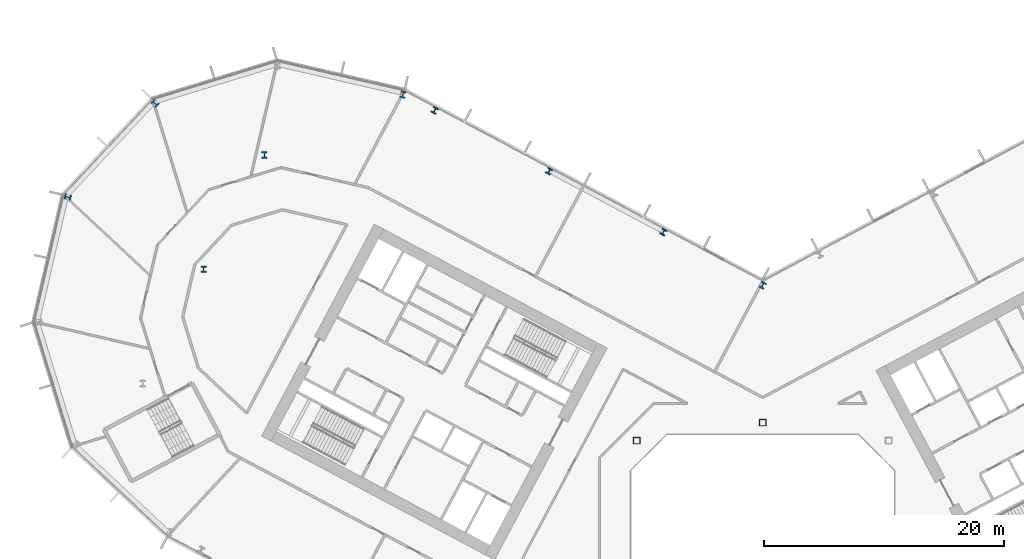
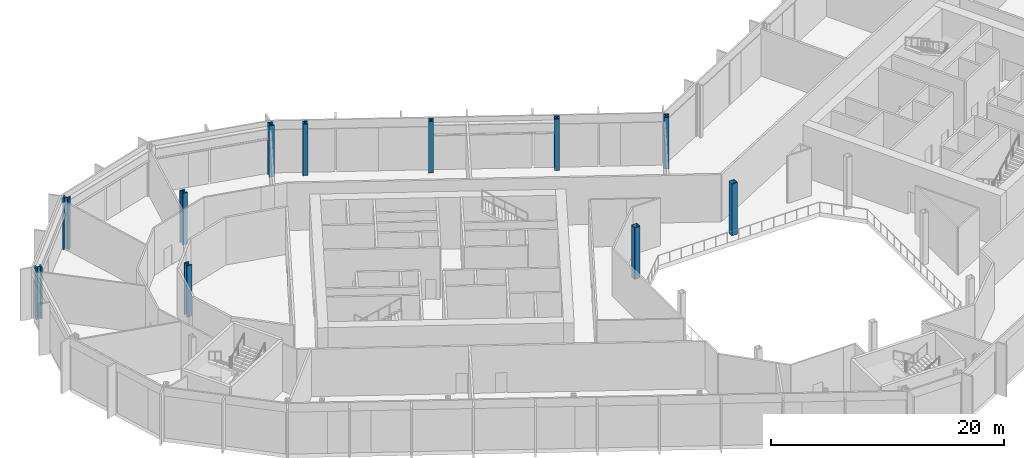
# One storey, part 2 of 30: 11 columns.
"""IFC4 building model written with IfcOpenShell, lengths in metres."""

from ifc_helpers import new_model, si_unit, direction, frame, origin, origin_2d, place, context, subcontext, project, spatial, hollow_rectangle, i_section, extrude, material, material_profile, profile_set, type_object, element, save


model = new_model("IFC4")

# Units and contexts
model_context = context("Model", 3, precision=1e-05, world=origin(), true_north=direction((0.0, 1.0)))
body_context = subcontext(model_context, "Body", "Model", "MODEL_VIEW")
ifc_project = project(units=[si_unit("LENGTHUNIT", "METRE"), si_unit("AREAUNIT", "SQUARE_METRE"), si_unit("VOLUMEUNIT", "CUBIC_METRE"), si_unit("PLANEANGLEUNIT", "RADIAN"), si_unit("MASSUNIT", "GRAM", prefix="KILO")], contexts=[model_context])

# Site, building, storey
site_placement = place(None, origin())
site = spatial("IfcSite", under=ifc_project, at=site_placement, CompositionType="ELEMENT")
building_placement = place(site_placement, origin())
building = spatial("IfcBuilding", under=site, at=building_placement, Name="Cormorant Relay Tower", CompositionType="ELEMENT")
storey_placement = place(building_placement, frame((0.0, 0.0, 55.39990234375)))
storey = spatial("IfcBuildingStorey", under=building, at=storey_placement, Name="L10", CompositionType="ELEMENT", Elevation=55.39990234375)

# Columns
ifc_material_1 = material(Name="Steel ASTM A1085 Grade A (Fy 345 MPa)", Category="steel")
ifc_material_profile_1 = material_profile(ifc_material_1, hollow_rectangle(XDim=0.558837890625, YDim=0.558837890625, WallThickness=0.023681640625, InnerFilletRadius=0.01171875, OuterFilletRadius=0.035400390625, at=origin_2d()), Name="HSS559x559x24")
ifc_profile_set_1 = profile_set([ifc_material_profile_1], Name="Steel ASTM A1085 Grade A (Fy 345 MPa)")
column_type_1 = type_object("IfcColumnType", Name="Column HSS559x559x24", PredefinedType="COLUMN", material=ifc_profile_set_1)
for number, where, z_axis, x_axis, name in (
    (1, (-10.5, 10.5, 0.0), (0.0, 0.0, 1.0), (1.0, 0.0, 0.0), "Column L10-022"),
    (2, (0.0, 12.0, 0.0), (0.0, 0.0, 1.0), (1.0, 0.0, 0.0), "Column L10-024"),
):
    element("IfcColumn", number, at=place(storey_placement, frame(where, z_axis=z_axis, x_axis=x_axis)), inside=storey, type_object=column_type_1, Name=name, PredefinedType="COLUMN", context=body_context, shape_type="SweptSolid", body=[
        extrude(hollow_rectangle(XDim=0.558837890625, YDim=0.558837890625, WallThickness=0.023681640625, InnerFilletRadius=0.01171875, OuterFilletRadius=0.035400390625, at=origin_2d()), origin(), (0.0, 0.0, 1.0), 5.400146484375),
    ])
ifc_material_2 = material(Name="Steel ASTM A992 (Fy 345 MPa)", Category="steel")
ifc_material_profile_2 = material_profile(ifc_material_2, i_section(OverallWidth=0.45458984375, OverallDepth=0.569091796875, WebThickness=0.077880859375, FlangeThickness=0.124755859375, FilletRadius=0.015380859375, at=origin_2d()), Name="W360x1086")
ifc_profile_set_2 = profile_set([ifc_material_profile_2], Name="Steel ASTM A992 (Fy 345 MPa)")
column_type_2 = type_object("IfcColumnType", Name="Column W360x1086", PredefinedType="COLUMN", material=ifc_profile_set_2)
for number, where, z_axis, x_axis, name in (
    (3, (0.0, 23.4541015625, 0.0), (0.0, 0.0, 1.0), (-0.882947592859, 0.469471562786, 0.0), "Column L10-032"),
    (4, (-46.6201171875, 24.7880859375, 0.0), (0.0, 0.0, 1.0), (1.0, 0.0, 0.0), "Column L10-034"),
    (5, (-57.93896484375, 30.806884765625, 0.0), (0.0, 0.0, 1.0), (-0.224951054344, -0.974370064785, 0.0), "Column L10-038"),
    (6, (-41.549072265625, 34.323974609375, 0.0), (0.0, 0.0, 1.0), (1.0, 0.0, 0.0), "Column L10-043"),
    (7, (-50.659912109375, 38.613037109375, 0.0), (0.0, 0.0, 1.0), (-0.681998360062, -0.731353701619, 0.0), "Column L10-047"),
    (8, (-29.992919921875, 39.35009765625, 0.0), (0.0, 0.0, 1.0), (-0.974370064785, 0.224951054344, 0.0), "Column L10-048"),
):
    element("IfcColumn", number, at=place(storey_placement, frame(where, z_axis=z_axis, x_axis=x_axis)), inside=storey, type_object=column_type_2, Name=name, PredefinedType="COLUMN", context=body_context, shape_type="SweptSolid", body=[
        extrude(i_section(OverallWidth=0.45458984375, OverallDepth=0.569091796875, WebThickness=0.077880859375, FlangeThickness=0.124755859375, FilletRadius=0.015380859375, at=origin_2d()), origin(), (0.0, 0.0, 1.0), 5.400146484375),
    ])
ifc_material_3 = material(Name="Steel ASTM A992 (Fy 345 MPa)", Category="steel")
ifc_material_profile_3 = material_profile(ifc_material_3, i_section(OverallWidth=0.43701171875, OverallDepth=0.51318359375, WebThickness=0.060546875, FlangeThickness=0.096923828125, FilletRadius=0.015380859375, at=origin_2d()), Name="W360x818")
ifc_profile_set_3 = profile_set([ifc_material_profile_3], Name="Steel ASTM A992 (Fy 345 MPa)")
column_type_3 = type_object("IfcColumnType", Name="Column W360x818", PredefinedType="COLUMN", material=ifc_profile_set_3)
for number, where, z_axis, x_axis, name in (
    (9, (-8.27490234375, 27.889892578125, 0.0), (0.0, 0.0, 1.0), (-0.882947592859, 0.469471562786, 0.0), "Column L10-036"),
    (10, (-17.81103515625, 32.9599609375, 0.0), (0.0, 0.0, 1.0), (-0.882947592859, 0.469471562786, 0.0), "Column L10-041"),
    (11, (-27.346923828125, 38.030029296875, 0.0), (0.0, 0.0, 1.0), (-0.882947592859, 0.469471562786, 0.0), "Column L10-046"),
):
    element("IfcColumn", number, at=place(storey_placement, frame(where, z_axis=z_axis, x_axis=x_axis)), inside=storey, type_object=column_type_3, Name=name, PredefinedType="COLUMN", context=body_context, shape_type="SweptSolid", body=[
        extrude(i_section(OverallWidth=0.43701171875, OverallDepth=0.51318359375, WebThickness=0.060546875, FlangeThickness=0.096923828125, FilletRadius=0.015380859375, at=origin_2d()), origin(), (0.0, 0.0, 1.0), 5.400146484375),
    ])

save(model, "model.ifc")
